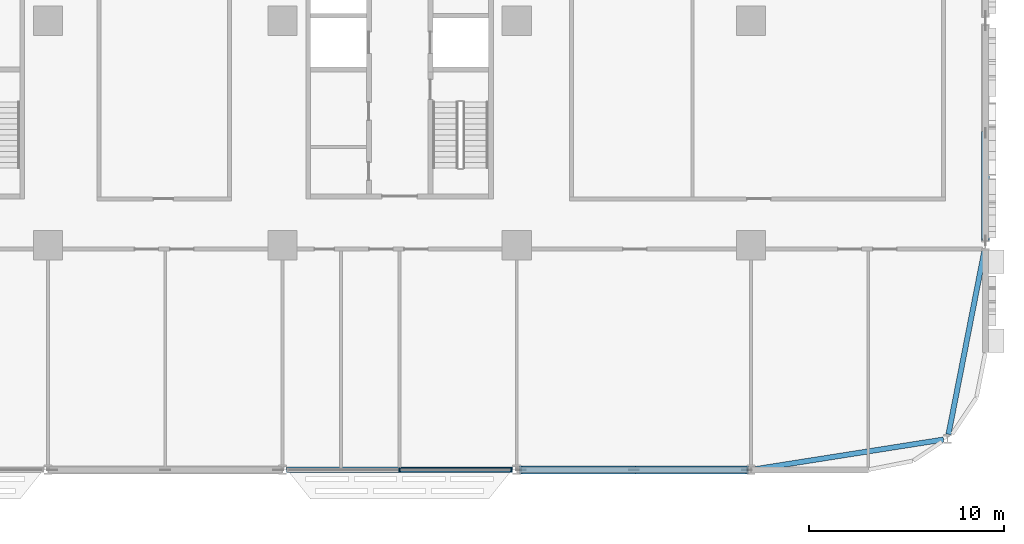
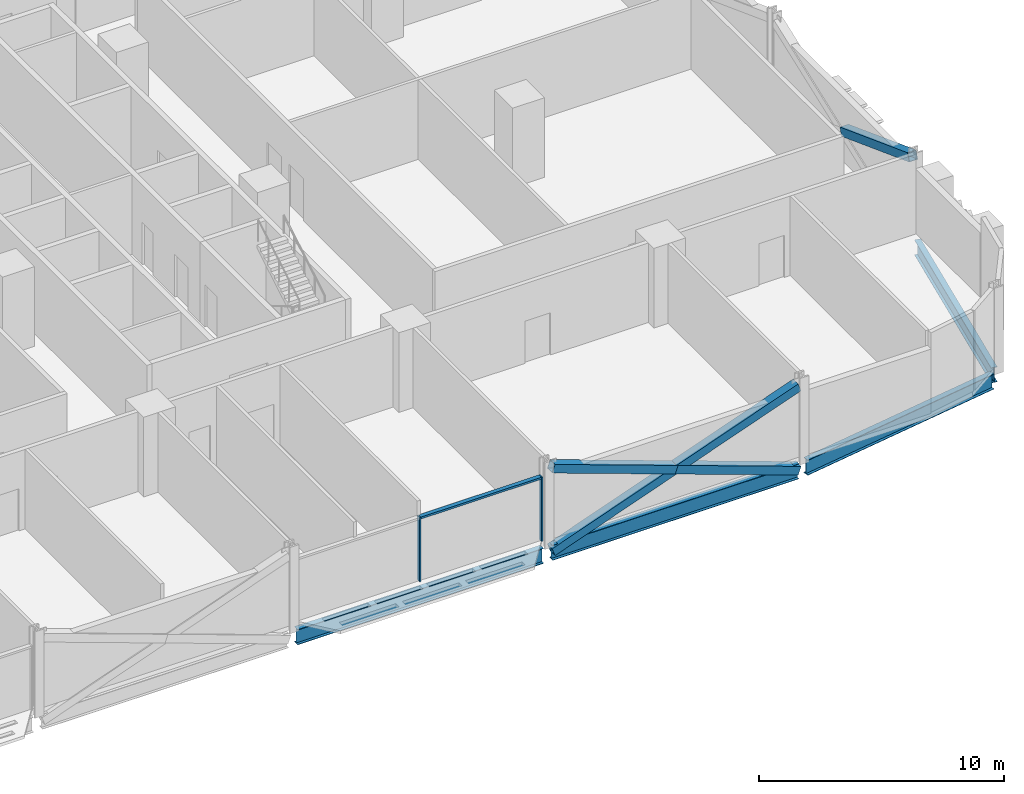
# One storey, part 8 of 30: 7 members, 4 beams, 1 element without a shape of its own.
"""IFC4 building model written with IfcOpenShell, lengths in metres."""

from ifc_helpers import new_model, si_unit, direction, frame, origin, origin_2d, place, context, subcontext, project, spatial, rectangle, hollow_rectangle, i_section, extrude, material, material_profile, profile_set, type_object, element, aggregate, save


model = new_model("IFC4")

# Units and contexts
model_context = context("Model", 3, precision=1e-05, world=origin(), true_north=direction((0.0, 1.0)))
body_context = subcontext(model_context, "Body", "Model", "MODEL_VIEW")
ifc_project = project(units=[si_unit("LENGTHUNIT", "METRE"), si_unit("AREAUNIT", "SQUARE_METRE"), si_unit("VOLUMEUNIT", "CUBIC_METRE"), si_unit("PLANEANGLEUNIT", "RADIAN"), si_unit("MASSUNIT", "GRAM", prefix="KILO")], contexts=[model_context])

# Site, building, storey
site_placement = place(None, origin())
site = spatial("IfcSite", under=ifc_project, at=site_placement, CompositionType="ELEMENT")
building_placement = place(site_placement, origin())
building = spatial("IfcBuilding", under=site, at=building_placement, Name="Mahtab Terrace Research Tower", CompositionType="ELEMENT")
storey_placement = place(building_placement, frame((0.0, 0.0, 50.300048828125)))
storey = spatial("IfcBuildingStorey", under=building, at=storey_placement, Name="L11", CompositionType="ELEMENT", Elevation=50.300048828125)

# Members
ifc_material_1 = material(Name="Steel ASTM A500 Gr C", Category="steel")
ifc_material_profile_1 = material_profile(ifc_material_1, hollow_rectangle(XDim=0.406494140625, YDim=0.406494140625, WallThickness=0.01904296875, at=origin_2d()), Name="HSS16X16X3/4")
ifc_profile_set_1 = profile_set([ifc_material_profile_1], Name="Steel ASTM A500 Gr C")
member_type_1 = type_object("IfcMemberType", Name="HSS 16x16x3/4 brace XB161634", PredefinedType="BRACE", material=ifc_profile_set_1)
member_1_placement = place(storey_placement, frame((30.212158203125, -23.0, -0.642578125), z_axis=(0.94138021482, 0.0, 0.33734743388), x_axis=(0.0, 1.0, 0.0)))
element("IfcMember", 1, at=member_1_placement, inside=storey, type_object=member_type_1, Name="Exoskeleton brace L11 19 a", PredefinedType="BRACE", context=body_context, shape_type="SweptSolid", body=[
    extrude(hollow_rectangle(XDim=0.406494140625, YDim=0.406494140625, WallThickness=0.01904296875, at=origin_2d()), origin(), (0.0, 0.0, 1.0), 12.29638671875),
])
for number, where, z_axis, x_axis, name in (
    (2, (41.787841796875, -23.0, -0.642578125), (-0.941386519928, 0.0, 0.337329838731), (0.0, -1.0, 0.0), "Exoskeleton brace L11 19 b1"),
    (3, (36.0, -23.0, 1.431396484375), (-0.941373909467, 0.0, 0.337365028677), (0.0, -1.0, 0.0), "Exoskeleton brace L11 19 b2"),
):
    element("IfcMember", number, at=place(storey_placement, frame(where, z_axis=z_axis, x_axis=x_axis)), inside=storey, type_object=member_type_1, Name=name, PredefinedType="BRACE", context=body_context, shape_type="SweptSolid", body=[
        extrude(hollow_rectangle(XDim=0.406494140625, YDim=0.406494140625, WallThickness=0.01904296875, at=origin_2d()), origin(), (0.0, 0.0, 1.0), 6.148193359375),
    ])
member_2_placement = place(storey_placement, frame((54.0, -5.75, 1.431396484375), z_axis=(0.0, -0.936657793787, 0.350245881259), x_axis=(1.0, 0.0, 0.0)))
element("IfcMember", 4, at=member_2_placement, inside=storey, type_object=member_type_1, Name="Exoskeleton brace L11 22 b2", PredefinedType="BRACE", context=body_context, shape_type="SweptSolid", body=[
    extrude(hollow_rectangle(XDim=0.406494140625, YDim=0.406494140625, WallThickness=0.01904296875, at=origin_2d()), origin(), (0.0, 0.0, 1.0), 5.88525390625),
])

# Curtain wall, members
ifc_material_2 = material(Name="Laboratory ribbon curtain wall")
curtain_wall_type = type_object("IfcCurtainWallType", Name="Laboratory ribbon curtain wall", PredefinedType="NOTDEFINED", material=ifc_material_2)
curtain_wall_placement = place(storey_placement, origin())
curtain_wall = element("IfcCurtainWall", 5, at=curtain_wall_placement, inside=storey, type_object=curtain_wall_type, Name="EN.L11.13.28", PredefinedType="NOTDEFINED")
ifc_material_3 = material(Name="Natural anodised aluminium", Category="aluminium")
ifc_material_profile_2 = material_profile(ifc_material_3, rectangle(XDim=0.199951171875, YDim=0.06494140625, at=origin_2d()), Name="MULLION 65x200")
ifc_profile_set_2 = profile_set([ifc_material_profile_2], Name="Natural anodised aluminium")
member_type_2 = type_object("IfcMemberType", Name="Laboratory ribbon curtain wall mullion", PredefinedType="MULLION", material=ifc_profile_set_2)
member_3_placement = place(storey_placement, frame((24.0, -23.0, 0.0), z_axis=(0.0, 0.0, 1.0), x_axis=(0.0, 1.0, 0.0)))
member_3 = element("IfcMember", 6, at=member_3_placement, type_object=member_type_2, Name="CWL-2 mullion 2", PredefinedType="MULLION", context=body_context, shape_type="SweptSolid", body=[
    extrude(rectangle(XDim=0.199951171875, YDim=0.06494140625, at=origin_2d()), origin(), (0.0, 0.0, 1.0), 3.203125),
])
member_4_placement = place(storey_placement, frame((29.7294921875, -23.0, 0.0), z_axis=(0.0, 0.0, 1.0), x_axis=(0.0, 1.0, 0.0)))
member_4 = element("IfcMember", 7, at=member_4_placement, type_object=member_type_2, Name="CWL-2 mullion 3", PredefinedType="MULLION", context=body_context, shape_type="SweptSolid", body=[
    extrude(rectangle(XDim=0.199951171875, YDim=0.06494140625, at=origin_2d()), origin(), (0.0, 0.0, 1.0), 3.203125),
])
ifc_material_profile_3 = material_profile(ifc_material_3, rectangle(XDim=0.199951171875, YDim=0.10009765625, at=origin_2d()), Name="TRANSOM 100x200")
ifc_profile_set_3 = profile_set([ifc_material_profile_3], Name="Natural anodised aluminium")
member_type_3 = type_object("IfcMemberType", Name="Laboratory ribbon curtain wall transom", PredefinedType="USERDEFINED", material=ifc_profile_set_3)
member_5_placement = place(storey_placement, frame((24.032470703125, -23.0, 3.153076171875), z_axis=(1.0, 0.0, 0.0), x_axis=(0.0, 1.0, 0.0)))
member_5 = element("IfcMember", 8, at=member_5_placement, type_object=member_type_3, Name="CWL-2 transom 2", ObjectType="TRANSOM", PredefinedType="USERDEFINED", context=body_context, shape_type="SweptSolid", body=[
    extrude(rectangle(XDim=0.199951171875, YDim=0.10009765625, at=origin_2d()), origin(), (0.0, 0.0, 1.0), 5.66455078125),
])
aggregate(curtain_wall, [member_3, member_4, member_5])

# Beams
ifc_material_4 = material(Name="Steel ASTM A992 Gr 50", Category="steel")
ifc_material_profile_4 = material_profile(ifc_material_4, i_section(OverallWidth=0.2666015625, OverallDepth=0.7568359375, WebThickness=0.013916015625, FlangeThickness=0.019287109375, at=origin_2d()), Name="W30X108")
ifc_profile_set_4 = profile_set([ifc_material_profile_4], Name="Steel ASTM A992 Gr 50")
beam_type = type_object("IfcBeamType", Name="W30x108 beam BS30108", PredefinedType="BEAM", material=ifc_profile_set_4)
for number, where, z_axis, x_axis, name in (
    (9, (18.212158203125, -23.0, -0.718505859375), (1.0, 0.0, 0.0), (0.0, 1.0, 0.0), "Spandrel beam L11 18"),
    (10, (30.212158203125, -23.0, -0.718505859375), (1.0, 0.0, 0.0), (0.0, 1.0, 0.0), "Spandrel beam L11 19"),
):
    element("IfcBeam", number, at=place(storey_placement, frame(where, z_axis=z_axis, x_axis=x_axis)), inside=storey, type_object=beam_type, Name=name, PredefinedType="BEAM", context=body_context, shape_type="SweptSolid", body=[
        extrude(i_section(OverallWidth=0.2666015625, OverallDepth=0.7568359375, WebThickness=0.013916015625, FlangeThickness=0.019287109375, at=origin_2d()), origin(), (0.0, 0.0, 1.0), 11.57568359375),
    ])
beam_1_placement = place(storey_placement, frame((42.212158203125, -22.966552734375, -0.718505859375), z_axis=(0.987836303792, 0.155497385545, 0.0), x_axis=(-0.155497385545, 0.987836303792, 0.0)))
element("IfcBeam", 11, at=beam_1_placement, inside=storey, type_object=beam_type, Name="Spandrel beam L11 20", PredefinedType="BEAM", context=body_context, shape_type="SweptSolid", body=[
    extrude(i_section(OverallWidth=0.2666015625, OverallDepth=0.7568359375, WebThickness=0.013916015625, FlangeThickness=0.019287109375, at=origin_2d()), origin(), (0.0, 0.0, 1.0), 9.75634765625),
])
beam_2_placement = place(storey_placement, frame((52.1083984375, -21.178466796875, -0.718505859375), z_axis=(0.191819239661, 0.981430272254, 0.0), x_axis=(-0.981430272254, 0.191819239661, 0.0)))
element("IfcBeam", 12, at=beam_2_placement, inside=storey, type_object=beam_type, Name="Spandrel beam L11 21", PredefinedType="BEAM", context=body_context, shape_type="SweptSolid", body=[
    extrude(i_section(OverallWidth=0.2666015625, OverallDepth=0.7568359375, WebThickness=0.013916015625, FlangeThickness=0.019287109375, at=origin_2d()), origin(), (0.0, 0.0, 1.0), 9.61962890625),
])

save(model, "model.ifc")
